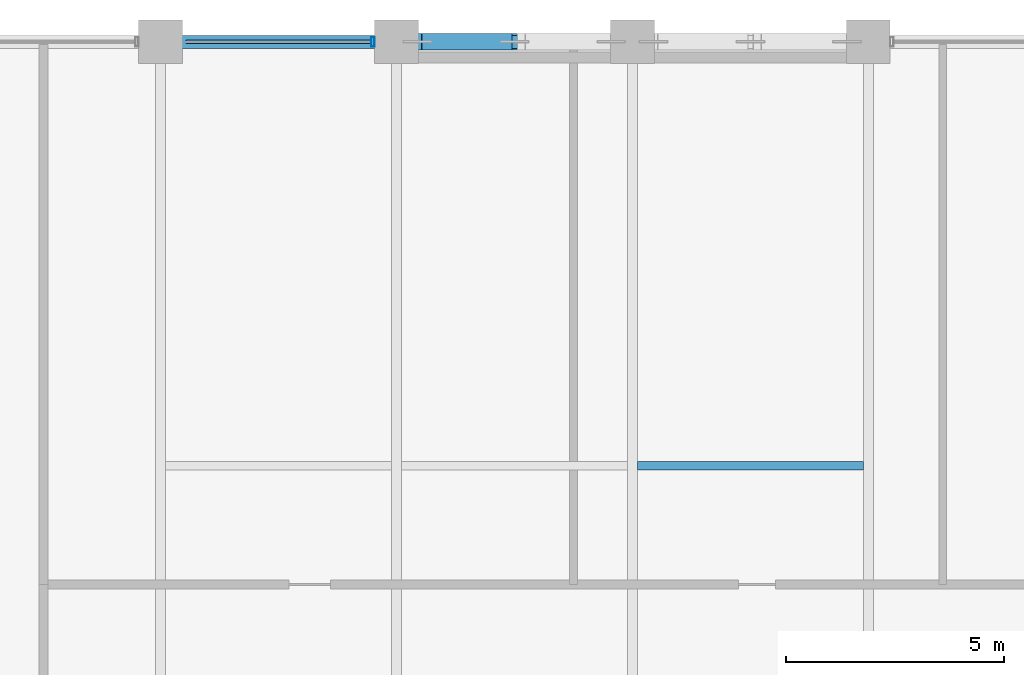
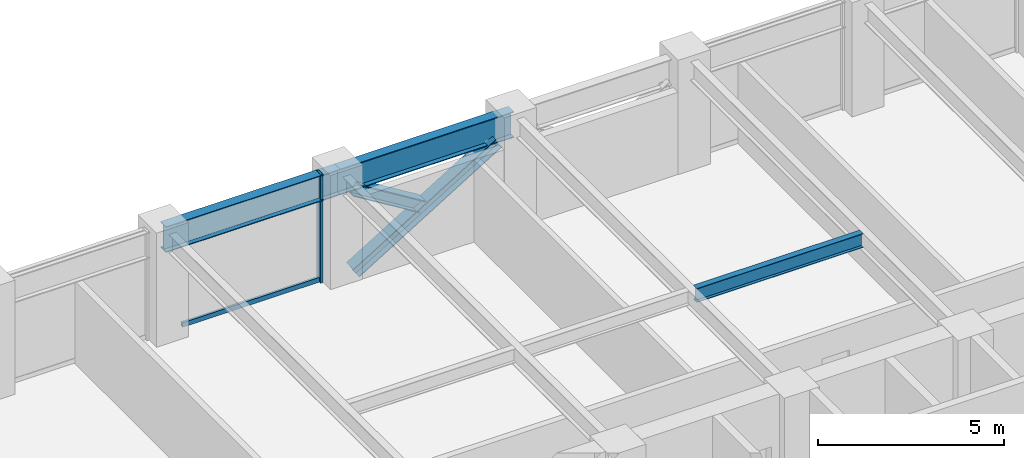
# One storey, part 14 of 26: 4 members, 3 beams, 1 element without a shape of its own.
"""IFC4 building model written with IfcOpenShell, lengths in metres."""

from ifc_helpers import new_model, si_unit, direction, frame, origin, origin_2d, place, context, subcontext, project, spatial, hollow_rectangle, i_section, extrude, material, layer, layer_set, material_profile, profile_set, type_object, element, aggregate, save


model = new_model("IFC4")

# Units and contexts
model_context = context("Model", 3, precision=1e-05, world=origin(), true_north=direction((0.0, 1.0)))
body_context = subcontext(model_context, "Body", "Model", "MODEL_VIEW")
ifc_project = project(units=[si_unit("LENGTHUNIT", "METRE"), si_unit("AREAUNIT", "SQUARE_METRE"), si_unit("VOLUMEUNIT", "CUBIC_METRE"), si_unit("PLANEANGLEUNIT", "RADIAN"), si_unit("MASSUNIT", "GRAM", prefix="KILO")], contexts=[model_context])

# Site, building, storey
site_placement = place(None, origin())
site = spatial("IfcSite", under=ifc_project, at=site_placement, CompositionType="ELEMENT")
building_placement = place(site_placement, origin())
building = spatial("IfcBuilding", under=site, at=building_placement, Name="Surkhivell Harbour Commons", CompositionType="ELEMENT")
storey_placement = place(building_placement, frame((0.0, 0.0, 147.0)))
storey = spatial("IfcBuildingStorey", under=building, at=storey_placement, Name="L38", CompositionType="ELEMENT", Elevation=147.0)

# Beams
ifc_material_1 = material(Name="Steel S355", Category="steel")
ifc_material_profile_1 = material_profile(ifc_material_1, i_section(OverallWidth=0.18994140625, OverallDepth=0.45703125, WebThickness=0.009033203125, FlangeThickness=0.014404296875, at=origin_2d()), Name="UB457x191x74")
ifc_profile_set_1 = profile_set([ifc_material_profile_1], Name="Steel S355")
beam_type_1 = type_object("IfcBeamType", Name="BM-JST-457B", PredefinedType="JOIST", material=ifc_profile_set_1)
beam_1_placement = place(storey_placement, frame((0.113037109375, 16.199951171875, 3.341552734375), z_axis=(1.0, 0.0, 0.0), x_axis=(0.0, 1.0, 0.0)))
element("IfcBeam", 1, at=beam_1_placement, inside=storey, type_object=beam_type_1, Name="L38 North Composite Joist (0.0)", PredefinedType="JOIST", context=body_context, shape_type="SweptSolid", body=[
    extrude(i_section(OverallWidth=0.18994140625, OverallDepth=0.45703125, WebThickness=0.009033203125, FlangeThickness=0.014404296875, at=origin_2d()), origin(), (0.0, 0.0, 1.0), 5.174072265625),
])
ifc_material_2 = material(Name="Steel S460", Category="steel")
ifc_material_profile_2 = material_profile(ifc_material_2, i_section(OverallWidth=0.2939453125, OverallDepth=0.85107421875, WebThickness=0.01611328125, FlangeThickness=0.02685546875, at=origin_2d()), Name="UB838x292x226")
ifc_profile_set_2 = profile_set([ifc_material_profile_2], Name="Steel S460")
beam_type_2 = type_object("IfcBeamType", Name="BM-SPN-838", PredefinedType="SPANDREL", material=ifc_profile_set_2)
beam_2_placement = place(storey_placement, frame((-10.800048828125, 25.89990234375, 3.14453125), z_axis=(1.0, 0.0, 0.0), x_axis=(0.0, 1.0, 0.0)))
element("IfcBeam", 2, at=beam_2_placement, inside=storey, type_object=beam_type_2, Name="L38 Tube Spandrel (-10.8,25.9)", PredefinedType="SPANDREL", context=body_context, shape_type="SweptSolid", body=[
    extrude(i_section(OverallWidth=0.2939453125, OverallDepth=0.85107421875, WebThickness=0.01611328125, FlangeThickness=0.02685546875, at=origin_2d()), origin(), (0.0, 0.0, 1.0), 5.400146484375),
])
beam_3_placement = place(storey_placement, frame((-5.39990234375, 25.89990234375, 3.14453125), z_axis=(1.0, 0.0, 0.0), x_axis=(0.0, 1.0, 0.0)))
element("IfcBeam", 3, at=beam_3_placement, inside=storey, type_object=beam_type_2, Name="L38 Tube Spandrel (-5.4,25.9)", PredefinedType="SPANDREL", context=body_context, shape_type="SweptSolid", body=[
    extrude(i_section(OverallWidth=0.2939453125, OverallDepth=0.85107421875, WebThickness=0.01611328125, FlangeThickness=0.02685546875, at=origin_2d()), origin(), (0.0, 0.0, 1.0), 5.39990234375),
])

# Curtain wall, members
ifc_material_3 = material(Name="Anodised pale-metal aluminium and insulated glazing", Category="aluminium")
ifc_layer = layer(ifc_material_3, 0.205078125)
ifc_layer_set = layer_set([ifc_layer], Name="Anodised pale-metal aluminium and insulated glazing")
curtain_wall_type = type_object("IfcCurtainWallType", Name="CW-SYS-Z2", PredefinedType="NOTDEFINED", material=ifc_layer_set)
curtain_wall_placement = place(storey_placement, origin())
curtain_wall = element("IfcCurtainWall", 4, at=curtain_wall_placement, inside=storey, type_object=curtain_wall_type, Name="L38 Curtain Wall CW-L38-E07S2", PredefinedType="NOTDEFINED")
ifc_material_4 = material(Name="Anodised pale-metal aluminium alloy 6063-T6", Category="aluminium")
ifc_material_profile_3 = material_profile(ifc_material_4, hollow_rectangle(XDim=0.074951171875, YDim=0.219970703125, WallThickness=0.00390625, at=origin_2d()), Name="ALU-MULL-75x220")
ifc_profile_set_3 = profile_set([ifc_material_profile_3], Name="Anodised pale-metal aluminium alloy 6063-T6")
member_type_1 = type_object("IfcMemberType", Name="CWM-220", PredefinedType="MULLION", material=ifc_profile_set_3)
member_1_placement = place(storey_placement, frame((-5.939453125, 25.89990234375, 0.0), z_axis=(0.0, 0.0, 1.0), x_axis=(-1.0, 0.0, 0.0)))
member_1 = element("IfcMember", 5, at=member_1_placement, type_object=member_type_1, Name="CW-Z2 mullion 1", PredefinedType="MULLION", context=body_context, shape_type="SweptSolid", body=[
    extrude(hollow_rectangle(XDim=0.074951171875, YDim=0.219970703125, WallThickness=0.00390625, at=origin_2d()), origin(), (0.0, 0.0, 1.0), 3.570068359375),
])
ifc_material_profile_4 = material_profile(ifc_material_4, hollow_rectangle(XDim=0.074951171875, YDim=0.14990234375, WallThickness=0.00341796875, at=origin_2d()), Name="ALU-TRAN-75x150")
ifc_profile_set_4 = profile_set([ifc_material_profile_4], Name="Anodised pale-metal aluminium alloy 6063-T6")
member_type_2 = type_object("IfcMemberType", Name="CWT-150", PredefinedType="USERDEFINED", material=ifc_profile_set_4)
member_2_placement = place(storey_placement, frame((-5.97705078125, 25.89990234375, 0.074951171875), z_axis=(-1.0, 0.0, 0.0), x_axis=(0.0, -1.0, 0.0)))
member_2 = element("IfcMember", 6, at=member_2_placement, type_object=member_type_2, Name="CW-Z2 transom 1.1", ObjectType="TRANSOM", PredefinedType="USERDEFINED", context=body_context, shape_type="SweptSolid", body=[
    extrude(hollow_rectangle(XDim=0.074951171875, YDim=0.14990234375, WallThickness=0.00341796875, at=origin_2d()), origin(), (0.0, 0.0, 1.0), 4.245849609375),
])
aggregate(curtain_wall, [member_1, member_2])

# Members
ifc_material_profile_5 = material_profile(ifc_material_2, i_section(OverallWidth=0.375, OverallDepth=0.375, WebThickness=0.0166015625, FlangeThickness=0.027099609375, at=origin_2d()), Name="UC356x368x202")
ifc_profile_set_5 = profile_set([ifc_material_profile_5], Name="Steel S460")
member_type_3 = type_object("IfcMemberType", Name="MEM-BRC-UC356", PredefinedType="BRACE", material=ifc_profile_set_5)
member_3_placement = place(storey_placement, frame((-4.9150390625, 25.89990234375, 0.008056640625), z_axis=(0.852624888477, 0.0, 0.522523491864), x_axis=(0.0, 1.0, 0.0)))
element("IfcMember", 7, at=member_3_placement, inside=storey, type_object=member_type_3, Name="L38 Perimeter Mega-Brace MB- 01", PredefinedType="BRACE", context=body_context, shape_type="SweptSolid", body=[
    extrude(i_section(OverallWidth=0.375, OverallDepth=0.375, WebThickness=0.0166015625, FlangeThickness=0.027099609375, at=origin_2d()), origin(), (0.0, 0.0, 1.0), 5.195556640625),
])
member_4_placement = place(storey_placement, frame((-2.853515625, 25.89990234375, 1.459716796875), z_axis=(-0.852662200332, 0.0, 0.522462603567), x_axis=(0.0, -1.0, 0.0)))
element("IfcMember", 8, at=member_4_placement, inside=storey, type_object=member_type_3, Name="L38 Perimeter Mega-Brace MB- 03", PredefinedType="BRACE", context=body_context, shape_type="SweptSolid", body=[
    extrude(i_section(OverallWidth=0.375, OverallDepth=0.375, WebThickness=0.0166015625, FlangeThickness=0.027099609375, at=origin_2d()), origin(), (0.0, 0.0, 1.0), 2.417724609375),
])

save(model, "model.ifc")
